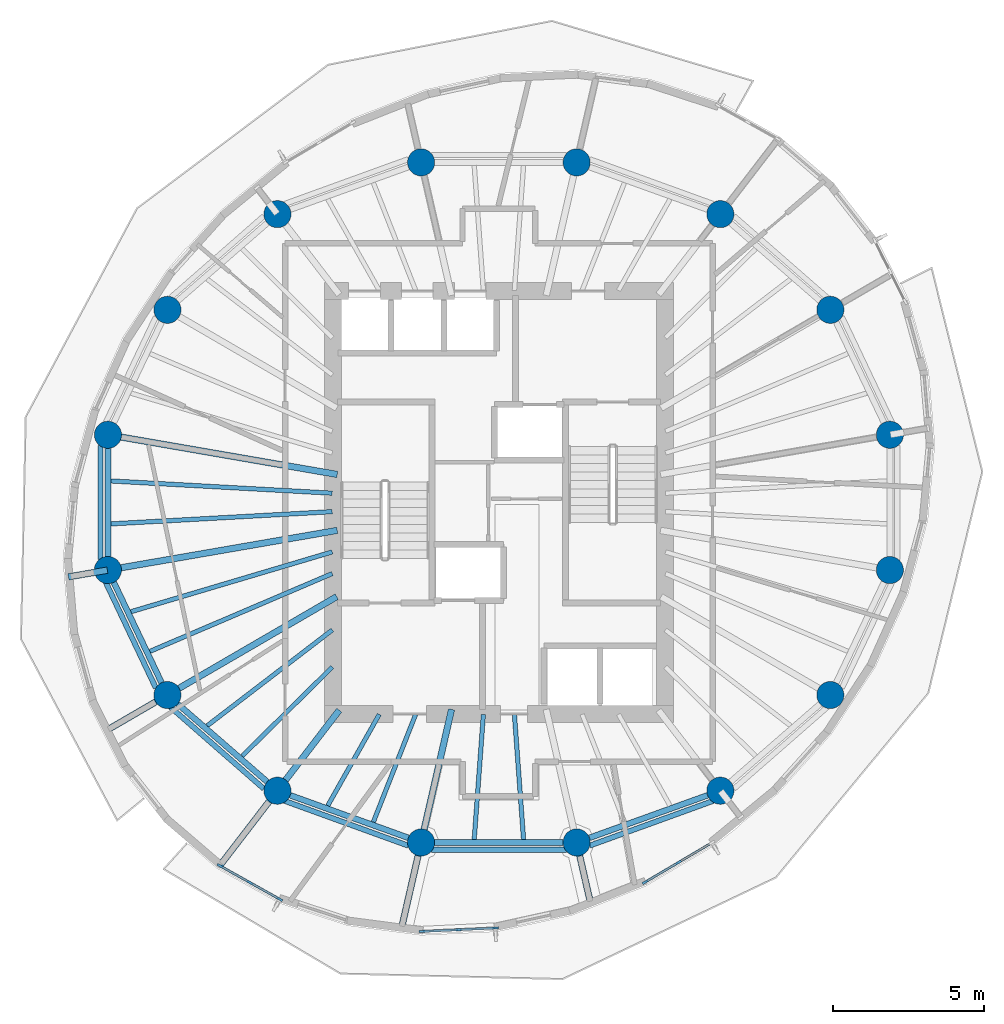
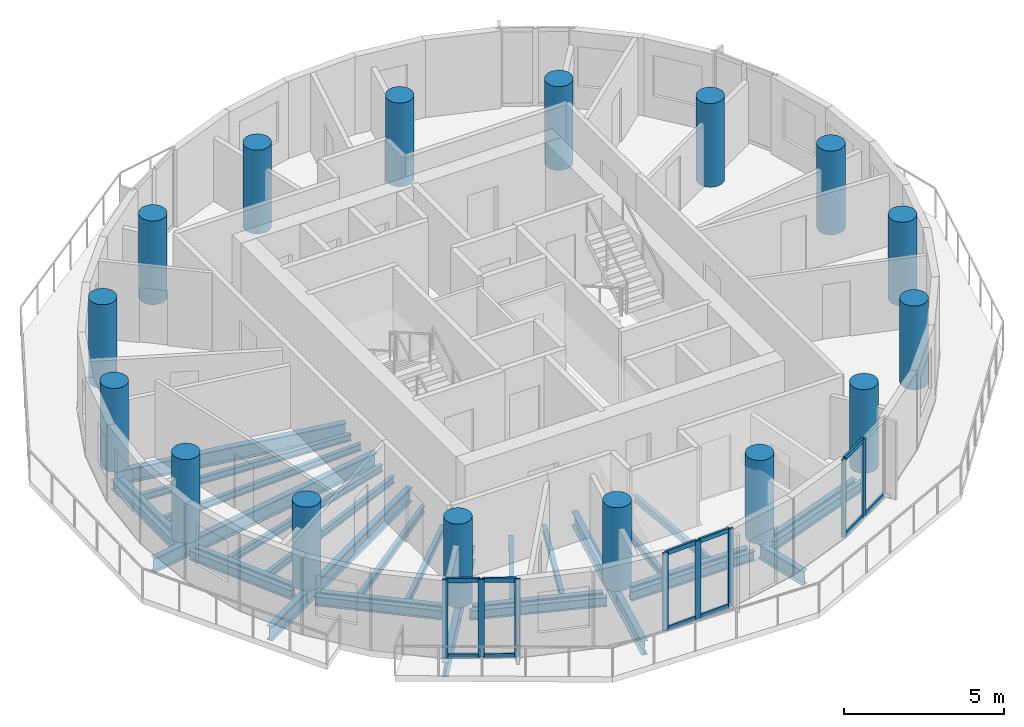
# One storey, part 1 of 10: 32 beams, 19 members, 16 columns, 3 elements without a shape of their own.
"""IFC4 building model written with IfcOpenShell, lengths in metres."""

from ifc_helpers import new_model, si_unit, direction, frame, origin, origin_2d, place, context, subcontext, project, spatial, rectangle, circle, i_section, extrude, material, material_profile, profile_set, type_object, element, aggregate, save


model = new_model("IFC4")

# Units and contexts
model_context = context("Model", 3, precision=1e-05, world=origin(), true_north=direction((0.0, 1.0)))
body_context = subcontext(model_context, "Body", "Model", "MODEL_VIEW")
ifc_project = project(units=[si_unit("LENGTHUNIT", "METRE"), si_unit("AREAUNIT", "SQUARE_METRE"), si_unit("VOLUMEUNIT", "CUBIC_METRE"), si_unit("PLANEANGLEUNIT", "RADIAN"), si_unit("MASSUNIT", "GRAM", prefix="KILO")], contexts=[model_context])

# Site, building, storey
site_placement = place(None, origin())
site = spatial("IfcSite", under=ifc_project, at=site_placement, CompositionType="ELEMENT")
building_placement = place(site_placement, origin())
building = spatial("IfcBuilding", under=site, at=building_placement, Name="Veldorim Arch Residences", CompositionType="ELEMENT")
storey_placement = place(building_placement, frame((0.0, 0.0, 182.239990234375)))
storey = spatial("IfcBuildingStorey", under=building, at=storey_placement, Name="L54", CompositionType="ELEMENT", Elevation=182.239990234375)

# Columns
ifc_material_1 = material(Name="Concrete C50/60", Category="concrete")
ifc_material_profile_1 = material_profile(ifc_material_1, circle(Radius=0.449951171875, at=origin_2d()), Name="RC_CIRC_900")
ifc_profile_set_1 = profile_set([ifc_material_profile_1], Name="Concrete C50/60")
column_type = type_object("IfcColumnType", Name="Structural Column RC_CIRC_900", PredefinedType="COLUMN", material=ifc_profile_set_1)
for number, where, z_axis, x_axis, name in (
    (1, (44.9462890625, 26.239501953125, 0.0), (0.0, 0.0, 1.0), (1.0, 0.0, 0.0), "L54 TC-Z4-01 perimeter column"),
    (2, (42.975341796875, 30.3779296875, 0.0), (0.0, 0.0, 1.0), (1.0, 0.0, 0.0), "L54 TC-Z4-02 perimeter column"),
    (3, (39.33349609375, 33.54541015625, 0.0), (0.0, 0.0, 1.0), (1.0, 0.0, 0.0), "L54 TC-Z4-03 perimeter column"),
    (4, (34.5751953125, 35.259521484375, 0.0), (0.0, 0.0, 1.0), (1.0, 0.0, 0.0), "L54 TC-Z4-04 perimeter column"),
    (5, (29.4248046875, 35.259521484375, 0.0), (0.0, 0.0, 1.0), (1.0, 0.0, 0.0), "L54 TC-Z4-05 perimeter column"),
    (6, (24.66650390625, 33.54541015625, 0.0), (0.0, 0.0, 1.0), (1.0, 0.0, 0.0), "L54 TC-Z4-06 perimeter column"),
    (7, (21.024658203125, 30.3779296875, 0.0), (0.0, 0.0, 1.0), (1.0, 0.0, 0.0), "L54 TC-Z4-07 perimeter column"),
    (8, (19.0537109375, 26.239501953125, 0.0), (0.0, 0.0, 1.0), (1.0, 0.0, 0.0), "L54 TC-Z4-08 perimeter column"),
    (9, (19.0537109375, 21.760498046875, 0.0), (0.0, 0.0, 1.0), (1.0, 0.0, 0.0), "L54 TC-Z4-09 perimeter column"),
    (10, (21.024658203125, 17.6220703125, 0.0), (0.0, 0.0, 1.0), (1.0, 0.0, 0.0), "L54 TC-Z4-10 perimeter column"),
    (11, (24.66650390625, 14.45458984375, 0.0), (0.0, 0.0, 1.0), (1.0, 0.0, 0.0), "L54 TC-Z4-11 perimeter column"),
    (12, (29.4248046875, 12.740478515625, 0.0), (0.0, 0.0, 1.0), (1.0, 0.0, 0.0), "L54 TC-Z4-12 perimeter column"),
    (13, (34.5751953125, 12.740478515625, 0.0), (0.0, 0.0, 1.0), (1.0, 0.0, 0.0), "L54 TC-Z4-13 perimeter column"),
    (14, (39.33349609375, 14.45458984375, 0.0), (0.0, 0.0, 1.0), (1.0, 0.0, 0.0), "L54 TC-Z4-14 perimeter column"),
    (15, (42.975341796875, 17.6220703125, 0.0), (0.0, 0.0, 1.0), (1.0, 0.0, 0.0), "L54 TC-Z4-15 perimeter column"),
    (16, (44.9462890625, 21.760498046875, 0.0), (0.0, 0.0, 1.0), (1.0, 0.0, 0.0), "L54 TC-Z4-16 perimeter column"),
):
    element("IfcColumn", number, at=place(storey_placement, frame(where, z_axis=z_axis, x_axis=x_axis)), inside=storey, type_object=column_type, Name=name, PredefinedType="COLUMN", context=body_context, shape_type="SweptSolid", body=[
        extrude(circle(Radius=0.449951171875, at=origin_2d()), origin(), (0.0, 0.0, 1.0), 3.199951171875),
    ])

# Beams
ifc_material_2 = material(Name="Steel S355", Category="steel")
ifc_material_profile_2 = material_profile(ifc_material_2, i_section(OverallWidth=0.2119140625, OverallDepth=0.54443359375, WebThickness=0.0126953125, FlangeThickness=0.021240234375, at=origin_2d()), Name="UB533x210x122")
ifc_profile_set_2 = profile_set([ifc_material_profile_2], Name="Steel S355")
beam_type_1 = type_object("IfcBeamType", Name="Structural Steel Beam UB533x210x122", PredefinedType="BEAM", material=ifc_profile_set_2)
for number, where, z_axis, x_axis, name in (
    (17, (26.647705078125, 24.92578125, -0.51220703125), (-0.985364974081, 0.170457818401, 0.0), (-0.170457818401, -0.985364974081, 0.0), "L54 radial floor girder 08"),
    (18, (26.647705078125, 23.07421875, -0.51220703125), (-0.985364974081, -0.170457818401, 0.0), (0.170457818401, -0.985364974081, 0.0), "L54 radial floor girder 09"),
):
    element("IfcBeam", number, at=place(storey_placement, frame(where, z_axis=z_axis, x_axis=x_axis)), inside=storey, type_object=beam_type_1, Name=name, PredefinedType="BEAM", context=body_context, shape_type="SweptSolid", body=[
        extrude(i_section(OverallWidth=0.2119140625, OverallDepth=0.54443359375, WebThickness=0.0126953125, FlangeThickness=0.021240234375, at=origin_2d()), origin(), (0.0, 0.0, 1.0), 7.68701171875),
    ])
beam_1_placement = place(storey_placement, frame((19.033935546875, 21.757080078125, -0.51220703125), z_axis=(-0.985349902199, -0.170544921461, 0.0), x_axis=(0.170544921461, -0.985349902199, 0.0)))
element("IfcBeam", 19, at=beam_1_placement, inside=storey, type_object=beam_type_1, Name="L54 radial edge cantilever girder 09", PredefinedType="BEAM", context=body_context, shape_type="SweptSolid", body=[
    extrude(i_section(OverallWidth=0.2119140625, OverallDepth=0.54443359375, WebThickness=0.0126953125, FlangeThickness=0.021240234375, at=origin_2d()), origin(), (0.0, 0.0, 1.0), 1.306884765625),
])
beam_2_placement = place(storey_placement, frame((26.629638671875, 20.87939453125, -0.51220703125), z_axis=(-0.864595736304, -0.502468121142, 0.0), x_axis=(0.502468121142, -0.864595736304, 0.0)))
element("IfcBeam", 20, at=beam_2_placement, inside=storey, type_object=beam_type_1, Name="L54 radial floor girder 10", PredefinedType="BEAM", context=body_context, shape_type="SweptSolid", body=[
    extrude(i_section(OverallWidth=0.2119140625, OverallDepth=0.54443359375, WebThickness=0.0126953125, FlangeThickness=0.021240234375, at=origin_2d()), origin(), (0.0, 0.0, 1.0), 6.462646484375),
])
beam_3_placement = place(storey_placement, frame((21.00732421875, 17.612060546875, -0.51220703125), z_axis=(-0.86459242159, -0.50247382472, 0.0), x_axis=(0.50247382472, -0.86459242159, 0.0)))
element("IfcBeam", 21, at=beam_3_placement, inside=storey, type_object=beam_type_1, Name="L54 radial edge cantilever girder 10", PredefinedType="BEAM", context=body_context, shape_type="SweptSolid", body=[
    extrude(i_section(OverallWidth=0.2119140625, OverallDepth=0.54443359375, WebThickness=0.0126953125, FlangeThickness=0.021240234375, at=origin_2d()), origin(), (0.0, 0.0, 1.0), 2.315185546875),
])
beam_4_placement = place(storey_placement, frame((26.71337890625, 17.118896484375, -0.51220703125), z_axis=(-0.609258442308, -0.792971721108, 0.0), x_axis=(0.792971721108, -0.609258442308, 0.0)))
element("IfcBeam", 22, at=beam_4_placement, inside=storey, type_object=beam_type_1, Name="L54 radial floor girder 11", PredefinedType="BEAM", context=body_context, shape_type="SweptSolid", body=[
    extrude(i_section(OverallWidth=0.2119140625, OverallDepth=0.54443359375, WebThickness=0.0126953125, FlangeThickness=0.021240234375, at=origin_2d()), origin(), (0.0, 0.0, 1.0), 3.339599609375),
])
beam_5_placement = place(storey_placement, frame((24.654296875, 14.438720703125, -0.51220703125), z_axis=(-0.609273468497, -0.792960175914, 0.0), x_axis=(0.792960175914, -0.609273468497, 0.0)))
element("IfcBeam", 23, at=beam_5_placement, inside=storey, type_object=beam_type_1, Name="L54 radial edge cantilever girder 11", PredefinedType="BEAM", context=body_context, shape_type="SweptSolid", body=[
    extrude(i_section(OverallWidth=0.2119140625, OverallDepth=0.54443359375, WebThickness=0.0126953125, FlangeThickness=0.021240234375, at=origin_2d()), origin(), (0.0, 0.0, 1.0), 3.103515625),
])
beam_6_placement = place(storey_placement, frame((30.432373046875, 17.146240234375, -0.51220703125), z_axis=(-0.222952976993, -0.97482920045, 0.0), x_axis=(0.97482920045, -0.222952976993, 0.0)))
element("IfcBeam", 24, at=beam_6_placement, inside=storey, type_object=beam_type_1, Name="L54 radial floor girder 12", PredefinedType="BEAM", context=body_context, shape_type="SweptSolid", body=[
    extrude(i_section(OverallWidth=0.2119140625, OverallDepth=0.54443359375, WebThickness=0.0126953125, FlangeThickness=0.021240234375, at=origin_2d()), origin(), (0.0, 0.0, 1.0), 4.49951171875),
])
beam_7_placement = place(storey_placement, frame((29.42041015625, 12.72119140625, -0.51220703125), z_axis=(-0.222932038034, -0.974833989158, 0.0), x_axis=(0.974833989158, -0.222932038034, 0.0)))
element("IfcBeam", 25, at=beam_7_placement, inside=storey, type_object=beam_type_1, Name="L54 radial edge cantilever girder 12", PredefinedType="BEAM", context=body_context, shape_type="SweptSolid", body=[
    extrude(i_section(OverallWidth=0.2119140625, OverallDepth=0.54443359375, WebThickness=0.0126953125, FlangeThickness=0.021240234375, at=origin_2d()), origin(), (0.0, 0.0, 1.0), 2.9052734375),
])
beam_8_placement = place(storey_placement, frame((34.57958984375, 12.72119140625, -0.51220703125), z_axis=(0.222995587315, -0.974819454073, 0.0), x_axis=(0.974819454073, 0.222995587315, 0.0)))
element("IfcBeam", 26, at=beam_8_placement, inside=storey, type_object=beam_type_1, Name="L54 radial edge cantilever girder 13", PredefinedType="BEAM", context=body_context, shape_type="SweptSolid", body=[
    extrude(i_section(OverallWidth=0.2119140625, OverallDepth=0.54443359375, WebThickness=0.0126953125, FlangeThickness=0.021240234375, at=origin_2d()), origin(), (0.0, 0.0, 1.0), 2.05712890625),
])
ifc_material_3 = material(Name="Steel S355", Category="steel")
ifc_material_profile_3 = material_profile(ifc_material_3, i_section(OverallWidth=0.146484375, OverallDepth=0.256103515625, WebThickness=0.00634765625, FlangeThickness=0.010986328125, at=origin_2d()), Name="UB254x146x37")
ifc_profile_set_3 = profile_set([ifc_material_profile_3], Name="Steel S355")
beam_type_2 = type_object("IfcBeamType", Name="Structural Steel Joist UB254x146x37", PredefinedType="JOIST", material=ifc_profile_set_3)
for number, where, z_axis, x_axis, name in (
    (27, (26.47998046875, 24.3056640625, -0.367919921875), (-0.998472000884, 0.055259962464, 0.0), (-0.055259962464, -0.998472000884, 0.0), "L54 secondary radial floor joist 08-1"),
    (28, (26.47998046875, 23.6943359375, -0.367919921875), (-0.998472000884, -0.055259962464, 0.0), (0.055259962464, -0.998472000884, 0.0), "L54 secondary radial floor joist 08-2"),
):
    element("IfcBeam", number, at=place(storey_placement, frame(where, z_axis=z_axis, x_axis=x_axis)), inside=storey, type_object=beam_type_2, Name=name, PredefinedType="JOIST", context=body_context, shape_type="SweptSolid", body=[
        extrude(i_section(OverallWidth=0.146484375, OverallDepth=0.256103515625, WebThickness=0.00634765625, FlangeThickness=0.010986328125, at=origin_2d()), origin(), (0.0, 0.0, 1.0), 7.33837890625),
    ])
beam_9_placement = place(storey_placement, frame((26.480712890625, 22.360595703125, -0.367919921875), z_axis=(-0.958594432792, -0.284774846889, 0.0), x_axis=(0.284774846889, -0.958594432792, 0.0)))
element("IfcBeam", 29, at=beam_9_placement, inside=storey, type_object=beam_type_2, Name="L54 secondary radial floor joist 09-1", PredefinedType="JOIST", context=body_context, shape_type="SweptSolid", body=[
    extrude(i_section(OverallWidth=0.146484375, OverallDepth=0.256103515625, WebThickness=0.00634765625, FlangeThickness=0.010986328125, at=origin_2d()), origin(), (0.0, 0.0, 1.0), 6.949462890625),
])
beam_10_placement = place(storey_placement, frame((26.481689453125, 21.644287109375, -0.367919921875), z_axis=(-0.919725161652, -0.392562895629, 0.0), x_axis=(0.392562895629, -0.919725161652, 0.0)))
element("IfcBeam", 30, at=beam_10_placement, inside=storey, type_object=beam_type_2, Name="L54 secondary radial floor joist 09-2", PredefinedType="JOIST", context=body_context, shape_type="SweptSolid", body=[
    extrude(i_section(OverallWidth=0.146484375, OverallDepth=0.256103515625, WebThickness=0.00634765625, FlangeThickness=0.010986328125, at=origin_2d()), origin(), (0.0, 0.0, 1.0), 6.5625),
])
beam_11_placement = place(storey_placement, frame((26.484130859375, 19.777099609375, -0.367919921875), z_axis=(-0.794013672216, -0.607899899929, 0.0), x_axis=(0.607899899929, -0.794013672216, 0.0)))
element("IfcBeam", 31, at=beam_11_placement, inside=storey, type_object=beam_type_2, Name="L54 secondary radial floor joist 10-1", PredefinedType="JOIST", context=body_context, shape_type="SweptSolid", body=[
    extrude(i_section(OverallWidth=0.146484375, OverallDepth=0.256103515625, WebThickness=0.00634765625, FlangeThickness=0.010986328125, at=origin_2d()), origin(), (0.0, 0.0, 1.0), 5.217041015625),
])
beam_12_placement = place(storey_placement, frame((26.48583984375, 18.55224609375, -0.367919921875), z_axis=(-0.711396725432, -0.702790650937, 0.0), x_axis=(0.702790650937, -0.711396725432, 0.0)))
element("IfcBeam", 32, at=beam_12_placement, inside=storey, type_object=beam_type_2, Name="L54 secondary radial floor joist 10-2", PredefinedType="JOIST", context=body_context, shape_type="SweptSolid", body=[
    extrude(i_section(OverallWidth=0.146484375, OverallDepth=0.256103515625, WebThickness=0.00634765625, FlangeThickness=0.010986328125, at=origin_2d()), origin(), (0.0, 0.0, 1.0), 4.198486328125),
])
beam_13_placement = place(storey_placement, frame((28.039794921875, 16.982666015625, -0.367919921875), z_axis=(-0.491452469585, -0.870904397818, 0.0), x_axis=(0.870904397818, -0.491452469585, 0.0)))
element("IfcBeam", 33, at=beam_13_placement, inside=storey, type_object=beam_type_2, Name="L54 secondary radial floor joist 11-1", PredefinedType="JOIST", context=body_context, shape_type="SweptSolid", body=[
    extrude(i_section(OverallWidth=0.146484375, OverallDepth=0.256103515625, WebThickness=0.00634765625, FlangeThickness=0.010986328125, at=origin_2d()), origin(), (0.0, 0.0, 1.0), 3.472412109375),
])
beam_14_placement = place(storey_placement, frame((29.24365234375, 16.9814453125, -0.367919921875), z_axis=(-0.365581383042, -0.930779379001, 0.0), x_axis=(0.930779379001, -0.365581383042, 0.0)))
element("IfcBeam", 34, at=beam_14_placement, inside=storey, type_object=beam_type_2, Name="L54 secondary radial floor joist 11-2", PredefinedType="JOIST", context=body_context, shape_type="SweptSolid", body=[
    extrude(i_section(OverallWidth=0.146484375, OverallDepth=0.256103515625, WebThickness=0.00634765625, FlangeThickness=0.010986328125, at=origin_2d()), origin(), (0.0, 0.0, 1.0), 3.83056640625),
])
for number, where, z_axis, x_axis, name in (
    (35, (31.486083984375, 16.97998046875, -0.367919921875), (-0.072985625899, -0.997332992742, 0.0), (0.997332992742, -0.072985625899, 0.0), "L54 secondary radial floor joist 12-1"),
    (36, (32.513916015625, 16.97998046875, -0.367919921875), (0.072985625899, -0.997332992742, 0.0), (0.997332992742, 0.072985625899, 0.0), "L54 secondary radial floor joist 12-2"),
):
    element("IfcBeam", number, at=place(storey_placement, frame(where, z_axis=z_axis, x_axis=x_axis)), inside=storey, type_object=beam_type_2, Name=name, PredefinedType="JOIST", context=body_context, shape_type="SweptSolid", body=[
        extrude(i_section(OverallWidth=0.146484375, OverallDepth=0.256103515625, WebThickness=0.00634765625, FlangeThickness=0.010986328125, at=origin_2d()), origin(), (0.0, 0.0, 1.0), 4.151123046875),
    ])
ifc_material_4 = material(Name="Steel S355", Category="steel")
ifc_material_profile_4 = material_profile(ifc_material_4, i_section(OverallWidth=0.172119140625, OverallDepth=0.35791015625, WebThickness=0.008056640625, FlangeThickness=0.012939453125, at=origin_2d()), Name="UB356x171x57")
ifc_profile_set_4 = profile_set([ifc_material_profile_4], Name="Steel S355")
beam_type_3 = type_object("IfcBeamType", Name="Structural Steel Spandrel UB356x171x57", PredefinedType="SPANDREL", material=ifc_profile_set_4)
beam_15_placement = place(storey_placement, frame((18.809814453125, 25.8857421875, -0.43896484375), z_axis=(0.0, -1.0, 0.0), x_axis=(1.0, 0.0, 0.0)))
element("IfcBeam", 37, at=beam_15_placement, inside=storey, type_object=beam_type_3, Name="L54 perimeter chord spandrel beam 08", PredefinedType="SPANDREL", context=body_context, shape_type="SweptSolid", body=[
    extrude(i_section(OverallWidth=0.172119140625, OverallDepth=0.35791015625, WebThickness=0.008056640625, FlangeThickness=0.012939453125, at=origin_2d()), origin(), (0.0, 0.0, 1.0), 3.771484375),
])
beam_16_placement = place(storey_placement, frame((18.9794921875, 21.3603515625, -0.43896484375), z_axis=(0.428408308939, -0.903585259304, 0.0), x_axis=(0.903585259304, 0.428408308939, 0.0)))
element("IfcBeam", 38, at=beam_16_placement, inside=storey, type_object=beam_type_3, Name="L54 perimeter chord spandrel beam 09", PredefinedType="SPANDREL", context=body_context, shape_type="SweptSolid", body=[
    extrude(i_section(OverallWidth=0.172119140625, OverallDepth=0.35791015625, WebThickness=0.008056640625, FlangeThickness=0.012939453125, at=origin_2d()), origin(), (0.0, 0.0, 1.0), 3.878662109375),
])
beam_17_placement = place(storey_placement, frame((21.108642578125, 17.237060546875, -0.43896484375), z_axis=(0.752847646119, -0.6581948205, 0.0), x_axis=(0.6581948205, 0.752847646119, 0.0)))
element("IfcBeam", 39, at=beam_17_placement, inside=storey, type_object=beam_type_3, Name="L54 perimeter chord spandrel beam 10", PredefinedType="SPANDREL", context=body_context, shape_type="SweptSolid", body=[
    extrude(i_section(OverallWidth=0.172119140625, OverallDepth=0.35791015625, WebThickness=0.008056640625, FlangeThickness=0.012939453125, at=origin_2d()), origin(), (0.0, 0.0, 1.0), 4.12939453125),
])
beam_18_placement = place(storey_placement, frame((24.887939453125, 14.12353515625, -0.43896484375), z_axis=(0.940164695555, -0.340720332871, 0.0), x_axis=(0.340720332871, 0.940164695555, 0.0)))
element("IfcBeam", 40, at=beam_18_placement, inside=storey, type_object=beam_type_3, Name="L54 perimeter chord spandrel beam 11", PredefinedType="SPANDREL", context=body_context, shape_type="SweptSolid", body=[
    extrude(i_section(OverallWidth=0.172119140625, OverallDepth=0.35791015625, WebThickness=0.008056640625, FlangeThickness=0.012939453125, at=origin_2d()), origin(), (0.0, 0.0, 1.0), 4.370849609375),
])
beam_19_placement = place(storey_placement, frame((29.765625, 12.499267578125, -0.43896484375), z_axis=(1.0, 0.0, 0.0), x_axis=(0.0, 1.0, 0.0)))
element("IfcBeam", 41, at=beam_19_placement, inside=storey, type_object=beam_type_3, Name="L54 perimeter chord spandrel beam 12", PredefinedType="SPANDREL", context=body_context, shape_type="SweptSolid", body=[
    extrude(i_section(OverallWidth=0.172119140625, OverallDepth=0.35791015625, WebThickness=0.008056640625, FlangeThickness=0.012939453125, at=origin_2d()), origin(), (0.0, 0.0, 1.0), 4.46875),
])
beam_20_placement = place(storey_placement, frame((35.002685546875, 12.63427734375, -0.43896484375), z_axis=(0.940164695555, 0.340720332871, 0.0), x_axis=(-0.340720332871, 0.940164695555, 0.0)))
element("IfcBeam", 42, at=beam_20_placement, inside=storey, type_object=beam_type_3, Name="L54 perimeter chord spandrel beam 13", PredefinedType="SPANDREL", context=body_context, shape_type="SweptSolid", body=[
    extrude(i_section(OverallWidth=0.172119140625, OverallDepth=0.35791015625, WebThickness=0.008056640625, FlangeThickness=0.012939453125, at=origin_2d()), origin(), (0.0, 0.0, 1.0), 4.370849609375),
])
ifc_material_5 = material(Name="Steel S355", Category="steel")
ifc_material_profile_5 = material_profile(ifc_material_5, i_section(OverallWidth=0.19140625, OverallDepth=0.4599609375, WebThickness=0.010009765625, FlangeThickness=0.01611328125, at=origin_2d()), Name="UB457x191x82")
ifc_profile_set_5 = profile_set([ifc_material_profile_5], Name="Steel S355")
beam_type_4 = type_object("IfcBeamType", Name="Structural Steel Spandrel UB457x191x82", PredefinedType="SPANDREL", material=ifc_profile_set_5)
beam_21_placement = place(storey_placement, frame((19.0537109375, 25.78955078125, -0.469970703125), z_axis=(0.0, -1.0, 0.0), x_axis=(1.0, 0.0, 0.0)))
element("IfcBeam", 43, at=beam_21_placement, inside=storey, type_object=beam_type_4, Name="L54 perimeter ring tie beam 08", PredefinedType="SPANDREL", context=body_context, shape_type="SweptSolid", body=[
    extrude(i_section(OverallWidth=0.19140625, OverallDepth=0.4599609375, WebThickness=0.010009765625, FlangeThickness=0.01611328125, at=origin_2d()), origin(), (0.0, 0.0, 1.0), 3.5791015625),
])
beam_22_placement = place(storey_placement, frame((19.2470703125, 21.35400390625, -0.469970703125), z_axis=(0.430005613988, -0.902826213586, 0.0), x_axis=(0.902826213586, 0.430005613988, 0.0)))
element("IfcBeam", 44, at=beam_22_placement, inside=storey, type_object=beam_type_4, Name="L54 perimeter ring tie beam 09", PredefinedType="SPANDREL", context=body_context, shape_type="SweptSolid", body=[
    extrude(i_section(OverallWidth=0.19140625, OverallDepth=0.4599609375, WebThickness=0.010009765625, FlangeThickness=0.01611328125, at=origin_2d()), origin(), (0.0, 0.0, 1.0), 3.68359375),
])
beam_23_placement = place(storey_placement, frame((21.364013671875, 17.326904296875, -0.469970703125), z_axis=(0.754545285701, -0.656247980436, 0.0), x_axis=(0.656247980436, 0.754545285701, 0.0)))
element("IfcBeam", 45, at=beam_23_placement, inside=storey, type_object=beam_type_4, Name="L54 perimeter ring tie beam 10", PredefinedType="SPANDREL", context=body_context, shape_type="SweptSolid", body=[
    extrude(i_section(OverallWidth=0.19140625, OverallDepth=0.4599609375, WebThickness=0.010009765625, FlangeThickness=0.01611328125, at=origin_2d()), origin(), (0.0, 0.0, 1.0), 3.9267578125),
])
beam_24_placement = place(storey_placement, frame((25.08984375, 14.30224609375, -0.469970703125), z_axis=(0.940811035395, -0.338931550137, 0.0), x_axis=(0.338931550137, 0.940811035395, 0.0)))
element("IfcBeam", 46, at=beam_24_placement, inside=storey, type_object=beam_type_4, Name="L54 perimeter ring tie beam 11", PredefinedType="SPANDREL", context=body_context, shape_type="SweptSolid", body=[
    extrude(i_section(OverallWidth=0.19140625, OverallDepth=0.4599609375, WebThickness=0.010009765625, FlangeThickness=0.01611328125, at=origin_2d()), origin(), (0.0, 0.0, 1.0), 4.15771484375),
])
beam_25_placement = place(storey_placement, frame((29.874755859375, 12.740478515625, -0.469970703125), z_axis=(1.0, 0.0, 0.0), x_axis=(0.0, 1.0, 0.0)))
element("IfcBeam", 47, at=beam_25_placement, inside=storey, type_object=beam_type_4, Name="L54 perimeter ring tie beam 12", PredefinedType="SPANDREL", context=body_context, shape_type="SweptSolid", body=[
    extrude(i_section(OverallWidth=0.19140625, OverallDepth=0.4599609375, WebThickness=0.010009765625, FlangeThickness=0.01611328125, at=origin_2d()), origin(), (0.0, 0.0, 1.0), 4.25048828125),
])
beam_26_placement = place(storey_placement, frame((34.99853515625, 12.89306640625, -0.469970703125), z_axis=(0.940811035395, 0.338931550137, 0.0), x_axis=(-0.338931550137, 0.940811035395, 0.0)))
element("IfcBeam", 48, at=beam_26_placement, inside=storey, type_object=beam_type_4, Name="L54 perimeter ring tie beam 13", PredefinedType="SPANDREL", context=body_context, shape_type="SweptSolid", body=[
    extrude(i_section(OverallWidth=0.19140625, OverallDepth=0.4599609375, WebThickness=0.010009765625, FlangeThickness=0.01611328125, at=origin_2d()), origin(), (0.0, 0.0, 1.0), 4.15771484375),
])

# Curtain wall, members
ifc_material_6 = material(Name="Aluminium", Category="aluminium")
curtain_wall_type = type_object("IfcCurtainWallType", Name="Zone 4 High-Altitude Unitised Curtain Wall", PredefinedType="NOTDEFINED", material=ifc_material_6)
curtain_wall_1_placement = place(storey_placement, origin())
curtain_wall_1 = element("IfcCurtainWall", 49, at=curtain_wall_1_placement, inside=storey, type_object=curtain_wall_type, Name="L54 unitised curtain wall bay 20", PredefinedType="NOTDEFINED")
ifc_material_7 = material(Name="Aluminium", Category="aluminium")
ifc_material_profile_6 = material_profile(ifc_material_7, rectangle(XDim=0.074951171875, YDim=0.195068359375, at=origin_2d()), Name="ALU_MUL_75x195")
ifc_profile_set_6 = profile_set([ifc_material_profile_6], Name="Aluminium")
member_type_1 = type_object("IfcMemberType", Name="Zone 4 High-Altitude Unitised Curtain Wall Mullion 75x195", PredefinedType="MULLION", material=ifc_profile_set_6)
member_1_placement = place(storey_placement, frame((24.74609375, 10.85986328125, 0.0), z_axis=(0.0, 0.0, 1.0), x_axis=(-0.487736356175, -0.872990977539, 0.0)))
member_1 = element("IfcMember", 50, at=member_1_placement, type_object=member_type_1, Name="CW-Z4 mullion 1", PredefinedType="MULLION", context=body_context, shape_type="SweptSolid", body=[
    extrude(rectangle(XDim=0.074951171875, YDim=0.195068359375, at=origin_2d()), origin(), (0.0, 0.0, 1.0), 2.9599609375),
])
member_2_placement = place(storey_placement, frame((23.75439453125, 11.413818359375, 0.0), z_axis=(0.0, 0.0, 1.0), x_axis=(-0.487736356175, -0.872990977539, 0.0)))
member_2 = element("IfcMember", 51, at=member_2_placement, type_object=member_type_1, Name="CW-Z4 mullion 2", PredefinedType="MULLION", context=body_context, shape_type="SweptSolid", body=[
    extrude(rectangle(XDim=0.074951171875, YDim=0.195068359375, at=origin_2d()), origin(), (0.0, 0.0, 1.0), 2.9599609375),
])
member_3_placement = place(storey_placement, frame((22.762939453125, 11.9677734375, 0.0), z_axis=(0.0, 0.0, 1.0), x_axis=(-0.487736356175, -0.872990977539, 0.0)))
member_3 = element("IfcMember", 52, at=member_3_placement, type_object=member_type_1, Name="CW-Z4 mullion 3", PredefinedType="MULLION", context=body_context, shape_type="SweptSolid", body=[
    extrude(rectangle(XDim=0.074951171875, YDim=0.195068359375, at=origin_2d()), origin(), (0.0, 0.0, 1.0), 2.9599609375),
])

curtain_wall_2_placement = place(storey_placement, origin())
curtain_wall_2 = element("IfcCurtainWall", 53, at=curtain_wall_2_placement, inside=storey, type_object=curtain_wall_type, Name="L54 unitised curtain wall bay 23", PredefinedType="NOTDEFINED")
member_4_placement = place(storey_placement, frame((31.883544921875, 9.90771484375, 0.0), z_axis=(0.0, 0.0, 1.0), x_axis=(0.046678409438, -0.998909968962, 0.0)))
member_4 = element("IfcMember", 54, at=member_4_placement, type_object=member_type_1, Name="CW-Z4 mullion 1", PredefinedType="MULLION", context=body_context, shape_type="SweptSolid", body=[
    extrude(rectangle(XDim=0.074951171875, YDim=0.195068359375, at=origin_2d()), origin(), (0.0, 0.0, 1.0), 2.9599609375),
])
member_5_placement = place(storey_placement, frame((30.671142578125, 9.85107421875, 0.0), z_axis=(0.0, 0.0, 1.0), x_axis=(0.046678409438, -0.998909968962, 0.0)))
member_5 = element("IfcMember", 55, at=member_5_placement, type_object=member_type_1, Name="CW-Z4 mullion 2", PredefinedType="MULLION", context=body_context, shape_type="SweptSolid", body=[
    extrude(rectangle(XDim=0.074951171875, YDim=0.195068359375, at=origin_2d()), origin(), (0.0, 0.0, 1.0), 2.9599609375),
])
member_6_placement = place(storey_placement, frame((29.458984375, 9.79443359375, 0.0), z_axis=(0.0, 0.0, 1.0), x_axis=(0.046678409438, -0.998909968962, 0.0)))
member_6 = element("IfcMember", 56, at=member_6_placement, type_object=member_type_1, Name="CW-Z4 mullion 3", PredefinedType="MULLION", context=body_context, shape_type="SweptSolid", body=[
    extrude(rectangle(XDim=0.074951171875, YDim=0.195068359375, at=origin_2d()), origin(), (0.0, 0.0, 1.0), 2.9599609375),
])

curtain_wall_3_placement = place(storey_placement, origin())
curtain_wall_3 = element("IfcCurtainWall", 57, at=curtain_wall_3_placement, inside=storey, type_object=curtain_wall_type, Name="L54 unitised curtain wall bay 26", PredefinedType="NOTDEFINED")
member_7_placement = place(storey_placement, frame((37.949462890625, 12.080078125, 0.0), z_axis=(0.0, 0.0, 1.0), x_axis=(0.508514317139, -0.861053534494, 0.0)))
member_7 = element("IfcMember", 58, at=member_7_placement, type_object=member_type_1, Name="CW-Z4 mullion 2", PredefinedType="MULLION", context=body_context, shape_type="SweptSolid", body=[
    extrude(rectangle(XDim=0.074951171875, YDim=0.195068359375, at=origin_2d()), origin(), (0.0, 0.0, 1.0), 2.9599609375),
])
member_8_placement = place(storey_placement, frame((36.841552734375, 11.42578125, 0.0), z_axis=(0.0, 0.0, 1.0), x_axis=(0.508514317139, -0.861053534494, 0.0)))
member_8 = element("IfcMember", 59, at=member_8_placement, type_object=member_type_1, Name="CW-Z4 mullion 3", PredefinedType="MULLION", context=body_context, shape_type="SweptSolid", body=[
    extrude(rectangle(XDim=0.074951171875, YDim=0.195068359375, at=origin_2d()), origin(), (0.0, 0.0, 1.0), 2.9599609375),
])

# Member
ifc_material_8 = material(Name="Aluminium", Category="aluminium")
ifc_material_profile_7 = material_profile(ifc_material_8, rectangle(XDim=0.074951171875, YDim=0.1650390625, at=origin_2d()), Name="ALU_TRN_75x165")
ifc_profile_set_7 = profile_set([ifc_material_profile_7], Name="Aluminium")
member_type_2 = type_object("IfcMemberType", Name="Zone 4 High-Altitude Unitised Curtain Wall Transom 75x165", PredefinedType="USERDEFINED", material=ifc_profile_set_7)
member_9_placement = place(storey_placement, frame((24.71337890625, 10.878173828125, 0.03759765625), z_axis=(-0.873058743118, 0.487615043929, 0.0), x_axis=(-0.487615043929, -0.873058743118, 0.0)))
member_9 = element("IfcMember", 60, at=member_9_placement, type_object=member_type_2, Name="CW-Z4 transom 1.1", ObjectType="TRANSOM", PredefinedType="USERDEFINED", context=body_context, shape_type="SweptSolid", body=[
    extrude(rectangle(XDim=0.074951171875, YDim=0.1650390625, at=origin_2d()), origin(), (0.0, 0.0, 1.0), 1.06103515625),
])

member_10_placement = place(storey_placement, frame((24.71337890625, 10.878173828125, 2.922607421875), z_axis=(-0.873058743118, 0.487615043929, 0.0), x_axis=(-0.487615043929, -0.873058743118, 0.0)))
member_10 = element("IfcMember", 61, at=member_10_placement, type_object=member_type_2, Name="CW-Z4 transom 1.2", ObjectType="TRANSOM", PredefinedType="USERDEFINED", context=body_context, shape_type="SweptSolid", body=[
    extrude(rectangle(XDim=0.074951171875, YDim=0.1650390625, at=origin_2d()), origin(), (0.0, 0.0, 1.0), 1.06103515625),
])

member_11_placement = place(storey_placement, frame((23.7216796875, 11.43212890625, 0.03759765625), z_axis=(-0.87300401239, 0.487713024586, 0.0), x_axis=(-0.487713024586, -0.87300401239, 0.0)))
member_11 = element("IfcMember", 62, at=member_11_placement, type_object=member_type_2, Name="CW-Z4 transom 2.1", ObjectType="TRANSOM", PredefinedType="USERDEFINED", context=body_context, shape_type="SweptSolid", body=[
    extrude(rectangle(XDim=0.074951171875, YDim=0.1650390625, at=origin_2d()), origin(), (0.0, 0.0, 1.0), 1.060791015625),
])

member_12_placement = place(storey_placement, frame((23.7216796875, 11.43212890625, 2.922607421875), z_axis=(-0.87300401239, 0.487713024586, 0.0), x_axis=(-0.487713024586, -0.87300401239, 0.0)))
member_12 = element("IfcMember", 63, at=member_12_placement, type_object=member_type_2, Name="CW-Z4 transom 2.2", ObjectType="TRANSOM", PredefinedType="USERDEFINED", context=body_context, shape_type="SweptSolid", body=[
    extrude(rectangle(XDim=0.074951171875, YDim=0.1650390625, at=origin_2d()), origin(), (0.0, 0.0, 1.0), 1.060791015625),
])

aggregate(curtain_wall_1, [member_1, member_2, member_3, member_9, member_10, member_11, member_12])

member_13_placement = place(storey_placement, frame((31.84619140625, 9.906005859375, 0.03759765625), z_axis=(-0.998907088117, -0.046740018289, 0.0), x_axis=(0.046740018289, -0.998907088117, 0.0)))
member_13 = element("IfcMember", 64, at=member_13_placement, type_object=member_type_2, Name="CW-Z4 transom 1.1", ObjectType="TRANSOM", PredefinedType="USERDEFINED", context=body_context, shape_type="SweptSolid", body=[
    extrude(rectangle(XDim=0.074951171875, YDim=0.1650390625, at=origin_2d()), origin(), (0.0, 0.0, 1.0), 1.138671875),
])

member_14_placement = place(storey_placement, frame((31.84619140625, 9.906005859375, 2.922607421875), z_axis=(-0.998907088117, -0.046740018289, 0.0), x_axis=(0.046740018289, -0.998907088117, 0.0)))
member_14 = element("IfcMember", 65, at=member_14_placement, type_object=member_type_2, Name="CW-Z4 transom 1.2", ObjectType="TRANSOM", PredefinedType="USERDEFINED", context=body_context, shape_type="SweptSolid", body=[
    extrude(rectangle(XDim=0.074951171875, YDim=0.1650390625, at=origin_2d()), origin(), (0.0, 0.0, 1.0), 1.138671875),
])

member_15_placement = place(storey_placement, frame((30.6337890625, 9.849365234375, 0.03759765625), z_axis=(-0.998907088117, -0.046740018289, 0.0), x_axis=(0.046740018289, -0.998907088117, 0.0)))
member_15 = element("IfcMember", 66, at=member_15_placement, type_object=member_type_2, Name="CW-Z4 transom 2.1", ObjectType="TRANSOM", PredefinedType="USERDEFINED", context=body_context, shape_type="SweptSolid", body=[
    extrude(rectangle(XDim=0.074951171875, YDim=0.1650390625, at=origin_2d()), origin(), (0.0, 0.0, 1.0), 1.138671875),
])

member_16_placement = place(storey_placement, frame((30.6337890625, 9.849365234375, 2.922607421875), z_axis=(-0.998907088117, -0.046740018289, 0.0), x_axis=(0.046740018289, -0.998907088117, 0.0)))
member_16 = element("IfcMember", 67, at=member_16_placement, type_object=member_type_2, Name="CW-Z4 transom 2.2", ObjectType="TRANSOM", PredefinedType="USERDEFINED", context=body_context, shape_type="SweptSolid", body=[
    extrude(rectangle(XDim=0.074951171875, YDim=0.1650390625, at=origin_2d()), origin(), (0.0, 0.0, 1.0), 1.138671875),
])

aggregate(curtain_wall_2, [member_4, member_5, member_6, member_13, member_14, member_15, member_16])

member_17_placement = place(storey_placement, frame((39.025146484375, 12.71533203125, 0.03759765625), z_axis=(-0.861062864329, -0.50849851885, 0.0), x_axis=(0.50849851885, -0.861062864329, 0.0)))
member_17 = element("IfcMember", 68, at=member_17_placement, type_object=member_type_2, Name="CW-Z4 transom 1.1", ObjectType="TRANSOM", PredefinedType="USERDEFINED", context=body_context, shape_type="SweptSolid", body=[
    extrude(rectangle(XDim=0.074951171875, YDim=0.1650390625, at=origin_2d()), origin(), (0.0, 0.0, 1.0), 1.2119140625),
])

member_18_placement = place(storey_placement, frame((37.917236328125, 12.06103515625, 0.03759765625), z_axis=(-0.861062864329, -0.50849851885, 0.0), x_axis=(0.50849851885, -0.861062864329, 0.0)))
member_18 = element("IfcMember", 69, at=member_18_placement, type_object=member_type_2, Name="CW-Z4 transom 2.1", ObjectType="TRANSOM", PredefinedType="USERDEFINED", context=body_context, shape_type="SweptSolid", body=[
    extrude(rectangle(XDim=0.074951171875, YDim=0.1650390625, at=origin_2d()), origin(), (0.0, 0.0, 1.0), 1.2119140625),
])

member_19_placement = place(storey_placement, frame((37.917236328125, 12.06103515625, 2.922607421875), z_axis=(-0.861062864329, -0.50849851885, 0.0), x_axis=(0.50849851885, -0.861062864329, 0.0)))
member_19 = element("IfcMember", 70, at=member_19_placement, type_object=member_type_2, Name="CW-Z4 transom 2.2", ObjectType="TRANSOM", PredefinedType="USERDEFINED", context=body_context, shape_type="SweptSolid", body=[
    extrude(rectangle(XDim=0.074951171875, YDim=0.1650390625, at=origin_2d()), origin(), (0.0, 0.0, 1.0), 1.2119140625),
])

aggregate(curtain_wall_3, [member_7, member_8, member_17, member_18, member_19])

save(model, "model.ifc")
